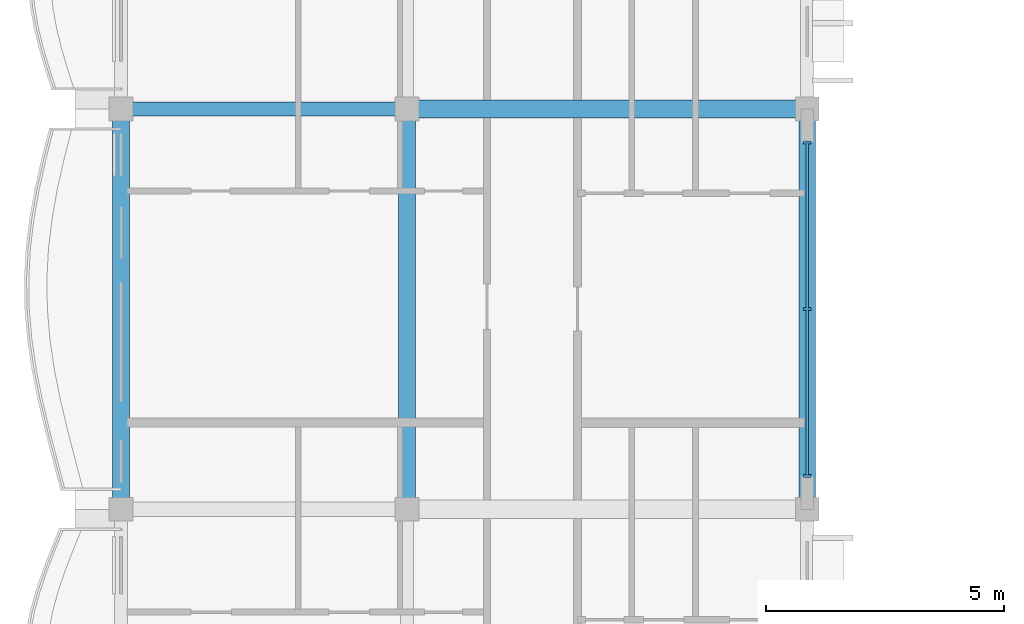
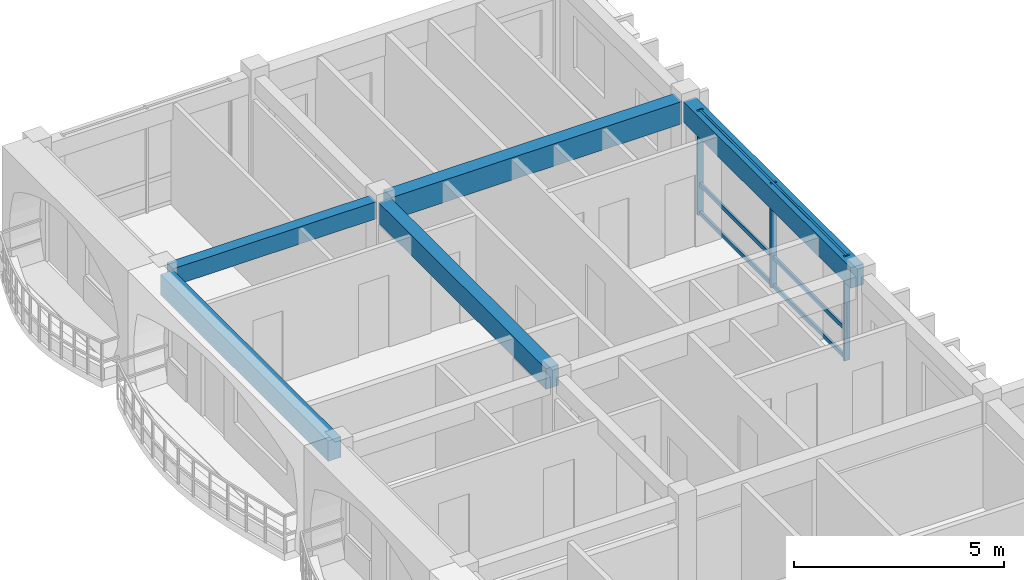
# One storey, part 5 of 54: 6 members, 5 beams, 1 element without a shape of its own.
"""IFC4 building model written with IfcOpenShell, lengths in metres."""

from ifc_helpers import new_model, si_unit, direction, frame, origin, origin_2d, place, context, subcontext, project, spatial, rectangle, extrude, material, material_profile, profile_set, type_object, element, aggregate, save


model = new_model("IFC4")

# Units and contexts
model_context = context("Model", 3, precision=1e-05, world=origin(), true_north=direction((0.0, 1.0)))
body_context = subcontext(model_context, "Body", "Model", "MODEL_VIEW")
ifc_project = project(units=[si_unit("LENGTHUNIT", "METRE"), si_unit("AREAUNIT", "SQUARE_METRE"), si_unit("VOLUMEUNIT", "CUBIC_METRE"), si_unit("PLANEANGLEUNIT", "RADIAN"), si_unit("MASSUNIT", "GRAM", prefix="KILO"), si_unit("THERMODYNAMICTEMPERATUREUNIT", "KELVIN")], contexts=[model_context])

# Site, building, storey
site_placement = place(None, origin())
site = spatial("IfcSite", under=ifc_project, at=site_placement, CompositionType="ELEMENT")
building_placement = place(site_placement, origin())
building = spatial("IfcBuilding", under=site, at=building_placement, Name="Thalorik Housing Commons", CompositionType="ELEMENT")
storey_placement = place(building_placement, frame((0.0, 0.0, 31.199951171875)))
storey = spatial("IfcBuildingStorey", under=building, at=storey_placement, Name="L09", CompositionType="ELEMENT", Elevation=31.199951171875)

# Curtain wall, members
ifc_material_1 = material(Name="Anodised aluminium and solar-control low-E glass", Category="aluminium")
curtain_wall_type = type_object("IfcCurtainWallType", Name="ARC-CW-LOUNGE", PredefinedType="USERDEFINED", material=ifc_material_1)
curtain_wall_placement = place(storey_placement, origin())
curtain_wall = element("IfcCurtainWall", 1, at=curtain_wall_placement, inside=storey, type_object=curtain_wall_type, Name="L09 Curtain Wall CW-RES-L09-C-164", ObjectType="CURTAIN WALL", PredefinedType="USERDEFINED")
ifc_material_2 = material(Name="Anodised aluminium 6063-T6", Category="aluminium")
ifc_material_profile_1 = material_profile(ifc_material_2, rectangle(XDim=0.06005859375, YDim=0.159912109375, at=origin_2d()), Name="ALU MUL 60x160", Category="aluminium")
ifc_profile_set_1 = profile_set([ifc_material_profile_1], Name="Anodised aluminium 6063-T6")
member_type_1 = type_object("IfcMemberType", Name="ARC-CW-MUL-60x160", PredefinedType="MULLION", material=ifc_profile_set_1)
member_1_placement = place(storey_placement, frame((22.800048828125, 29.5, 0.0), z_axis=(0.0, 0.0, 1.0), x_axis=(0.0, 1.0, 0.0)))
member_1 = element("IfcMember", 2, at=member_1_placement, type_object=member_type_1, Name="CW-RES-L09-C-164 Mullion 1", PredefinedType="MULLION", context=body_context, shape_type="SweptSolid", body=[
    extrude(rectangle(XDim=0.06005859375, YDim=0.159912109375, at=origin_2d()), origin(), (0.0, 0.0, 1.0), 3.0400390625),
])
member_2_placement = place(storey_placement, frame((22.800048828125, 33.0, 0.0), z_axis=(0.0, 0.0, 1.0), x_axis=(0.0, 1.0, 0.0)))
member_2 = element("IfcMember", 3, at=member_2_placement, type_object=member_type_1, Name="CW-RES-L09-C-164 Mullion 2", PredefinedType="MULLION", context=body_context, shape_type="SweptSolid", body=[
    extrude(rectangle(XDim=0.06005859375, YDim=0.159912109375, at=origin_2d()), origin(), (0.0, 0.0, 1.0), 3.0400390625),
])
member_3_placement = place(storey_placement, frame((22.800048828125, 36.5, 0.0), z_axis=(0.0, 0.0, 1.0), x_axis=(0.0, 1.0, 0.0)))
member_3 = element("IfcMember", 4, at=member_3_placement, type_object=member_type_1, Name="CW-RES-L09-C-164 Mullion 3", PredefinedType="MULLION", context=body_context, shape_type="SweptSolid", body=[
    extrude(rectangle(XDim=0.06005859375, YDim=0.159912109375, at=origin_2d()), origin(), (0.0, 0.0, 1.0), 3.0400390625),
])
ifc_material_profile_2 = material_profile(ifc_material_2, rectangle(XDim=0.06005859375, YDim=0.1201171875, at=origin_2d()), Name="ALU TRN 60x120", Category="aluminium")
ifc_profile_set_2 = profile_set([ifc_material_profile_2], Name="Anodised aluminium 6063-T6")
member_type_2 = type_object("IfcMemberType", Name="ARC-CW-TRN-60x120", PredefinedType="USERDEFINED", material=ifc_profile_set_2)
member_4_placement = place(storey_placement, frame((22.800048828125, 29.5, 0.054931640625), z_axis=(0.0, 1.0, 0.0), x_axis=(-1.0, 0.0, 0.0)))
member_4 = element("IfcMember", 5, at=member_4_placement, type_object=member_type_2, Name="CW-RES-L09-C-164 Transom 1", ObjectType="TRANSOM", PredefinedType="USERDEFINED", context=body_context, shape_type="SweptSolid", body=[
    extrude(rectangle(XDim=0.06005859375, YDim=0.1201171875, at=origin_2d()), origin(), (0.0, 0.0, 1.0), 7.0),
])
member_5_placement = place(storey_placement, frame((22.800048828125, 29.5, 0.880126953125), z_axis=(0.0, 1.0, 0.0), x_axis=(-1.0, 0.0, 0.0)))
member_5 = element("IfcMember", 6, at=member_5_placement, type_object=member_type_2, Name="CW-RES-L09-C-164 Transom 2", ObjectType="TRANSOM", PredefinedType="USERDEFINED", context=body_context, shape_type="SweptSolid", body=[
    extrude(rectangle(XDim=0.06005859375, YDim=0.1201171875, at=origin_2d()), origin(), (0.0, 0.0, 1.0), 7.0),
])
member_6_placement = place(storey_placement, frame((22.800048828125, 29.5, 2.985107421875), z_axis=(0.0, 1.0, 0.0), x_axis=(-1.0, 0.0, 0.0)))
member_6 = element("IfcMember", 7, at=member_6_placement, type_object=member_type_2, Name="CW-RES-L09-C-164 Transom 3", ObjectType="TRANSOM", PredefinedType="USERDEFINED", context=body_context, shape_type="SweptSolid", body=[
    extrude(rectangle(XDim=0.06005859375, YDim=0.1201171875, at=origin_2d()), origin(), (0.0, 0.0, 1.0), 7.0),
])
aggregate(curtain_wall, [member_1, member_2, member_3, member_4, member_5, member_6])

# Beams
ifc_material_3 = material(Name="Precast concrete C40/50", Category="concrete")
ifc_material_profile_3 = material_profile(ifc_material_3, rectangle(XDim=0.300048828125, YDim=0.5, at=origin_2d()), Name="PC 300x500", Category="concrete")
ifc_profile_set_3 = profile_set([ifc_material_profile_3], Name="Precast concrete C40/50")
beam_type_1 = type_object("IfcBeamType", Name="STR-BM-PC300x500", PredefinedType="BEAM", material=ifc_profile_set_3)
beam_1_placement = place(storey_placement, frame((8.60009765625, 37.199951171875, 2.7900390625), z_axis=(1.0, 0.0, 0.0), x_axis=(0.0, 1.0, 0.0)))
element("IfcBeam", 8, at=beam_1_placement, inside=storey, type_object=beam_type_1, Name="L09 Beam B-500", PredefinedType="BEAM", context=body_context, shape_type="SweptSolid", body=[
    extrude(rectangle(XDim=0.300048828125, YDim=0.5, at=origin_2d()), origin(), (0.0, 0.0, 1.0), 5.599853515625),
])
ifc_material_profile_4 = material_profile(ifc_material_3, rectangle(XDim=0.35009765625, YDim=0.60009765625, at=origin_2d()), Name="PC 350x600", Category="concrete")
ifc_profile_set_4 = profile_set([ifc_material_profile_4], Name="Precast concrete C40/50")
beam_type_2 = type_object("IfcBeamType", Name="STR-BM-PC350x600", PredefinedType="BEAM", material=ifc_profile_set_4)
for number, where, z_axis, x_axis, name in (
    (9, (8.39990234375, 29.0, 2.739990234375), (0.0, 1.0, 0.0), (-1.0, 0.0, 0.0), "L09 Beam B-600"),
    (10, (14.39990234375, 29.0, 2.739990234375), (0.0, 1.0, 0.0), (-1.0, 0.0, 0.0), "L09 Beam B-600"),
    (11, (22.800048828125, 29.0, 2.739990234375), (0.0, 1.0, 0.0), (-1.0, 0.0, 0.0), "L09 Beam B-600"),
):
    element("IfcBeam", number, at=place(storey_placement, frame(where, z_axis=z_axis, x_axis=x_axis)), inside=storey, type_object=beam_type_2, Name=name, PredefinedType="BEAM", context=body_context, shape_type="SweptSolid", body=[
        extrude(rectangle(XDim=0.35009765625, YDim=0.60009765625, at=origin_2d()), origin(), (0.0, 0.0, 1.0), 8.0),
    ])
ifc_material_profile_5 = material_profile(ifc_material_3, rectangle(XDim=0.3798828125, YDim=0.64990234375, at=origin_2d()), Name="PC 380x650", Category="concrete")
ifc_profile_set_5 = profile_set([ifc_material_profile_5], Name="Precast concrete C40/50")
beam_type_3 = type_object("IfcBeamType", Name="STR-BM-PC380x650", PredefinedType="BEAM", material=ifc_profile_set_5)
beam_2_placement = place(storey_placement, frame((14.60009765625, 37.199951171875, 2.715087890625), z_axis=(1.0, 0.0, 0.0), x_axis=(0.0, 1.0, 0.0)))
element("IfcBeam", 12, at=beam_2_placement, inside=storey, type_object=beam_type_3, Name="L09 Beam B-650", PredefinedType="BEAM", context=body_context, shape_type="SweptSolid", body=[
    extrude(rectangle(XDim=0.3798828125, YDim=0.64990234375, at=origin_2d()), origin(), (0.0, 0.0, 1.0), 8.0),
])

save(model, "model.ifc")
